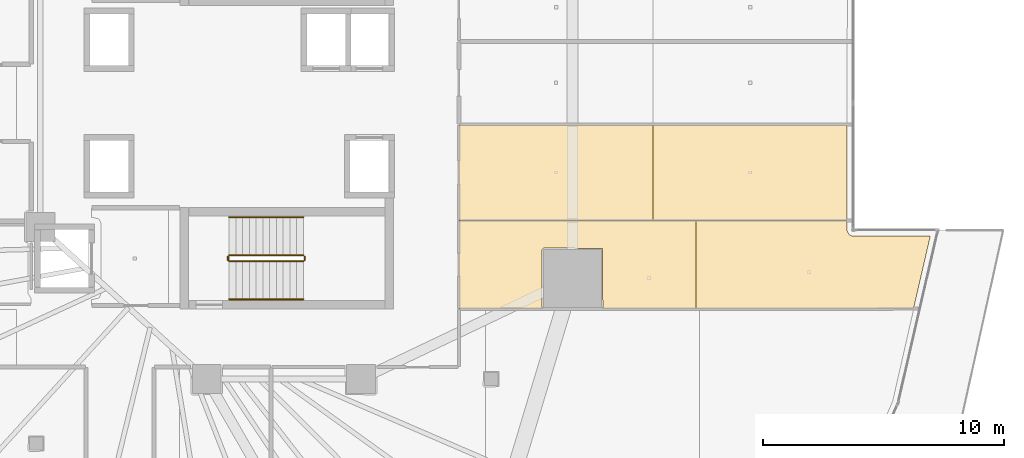
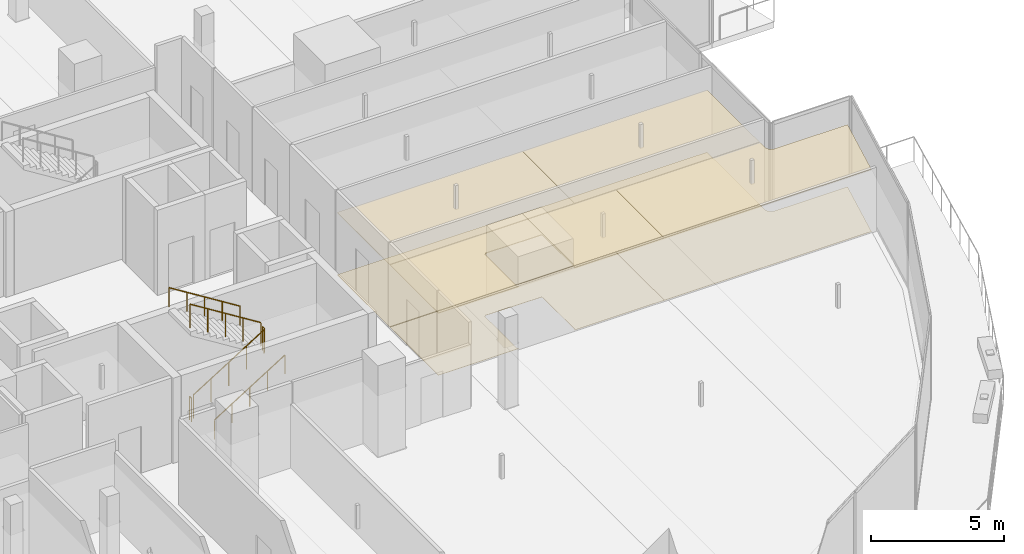
# One storey, part 39 of 44: 8 coverings, 6 railings.
"""IFC4 building model written with IfcOpenShell, lengths in metres."""

from ifc_helpers import new_model, si_unit, direction, frame, origin, origin_2d, place, context, subcontext, project, spatial, polyline, circle, outline, extrude, material, layer, layer_set, type_object, element, save


model = new_model("IFC4")

# Units and contexts
model_context = context("Model", 3, precision=1e-05, world=origin(), true_north=direction((0.0, 1.0)))
body_context = subcontext(model_context, "Body", "Model", "MODEL_VIEW")
ifc_project = project(units=[si_unit("LENGTHUNIT", "METRE"), si_unit("AREAUNIT", "SQUARE_METRE"), si_unit("VOLUMEUNIT", "CUBIC_METRE"), si_unit("PLANEANGLEUNIT", "RADIAN"), si_unit("MASSUNIT", "GRAM", prefix="KILO")], contexts=[model_context])

# Site, building, storey
site_placement = place(None, origin())
site = spatial("IfcSite", under=ifc_project, at=site_placement, CompositionType="ELEMENT")
building_placement = place(site_placement, origin())
building = spatial("IfcBuilding", under=site, at=building_placement, Name="Qorvath Tower", CompositionType="ELEMENT")
storey_placement = place(building_placement, frame((0.0, 0.0, 57.60009765625)))
storey = spatial("IfcBuildingStorey", under=building, at=storey_placement, Name="L12", CompositionType="ELEMENT", Elevation=57.60009765625)

# Coverings
ifc_material_1 = material(Name="Acoustic mineral fibre ceiling tile", Category="gypsum")
ifc_layer_1 = layer(ifc_material_1, 0.030029296875)
ifc_layer_set_1 = layer_set([ifc_layer_1], Name="COV-CEIL")
covering_type_1 = type_object("IfcCoveringType", Name="COV-CEIL", PredefinedType="CEILING", material=ifc_layer_set_1)
covering_1_placement = place(storey_placement, frame((0.0, 0.0, 2.849853515625)))
element("IfcCovering", 1, at=covering_1_placement, inside=storey, type_object=covering_type_1, Name="L12 Suspended Acoustic Ceiling 030", PredefinedType="CEILING", context=body_context, shape_type="SweptSolid", body=[
    extrude(outline(polyline([(-3.2998046875, -8.529052734375), (-3.2998046875, -4.88330078125), (-13.136962890625, -4.88330078125), (-13.136962890625, -8.537109375), (-9.6357421875, -8.5341796875), (-9.690185546875, -8.476318359375), (-9.690185546875, -6.076416015625), (-9.63037109375, -6.016357421875), (-7.18798828125, -6.033935546875), (-7.17041015625, -8.476318359375), (-7.22021484375, -8.5322265625), (-3.2998046875, -8.529052734375)])), origin(), (0.0, 0.0, 1.0), 0.030029296875),
])
covering_2_placement = place(storey_placement, frame((0.0, 0.0, 2.849853515625)))
element("IfcCovering", 2, at=covering_2_placement, inside=storey, type_object=covering_type_1, Name="L12 Suspended Acoustic Ceiling 031", PredefinedType="CEILING", context=body_context, shape_type="SweptSolid", body=[
    extrude(outline(polyline([(3.056396484375, -5.46630859375), (2.96923828125, -5.3193359375), (2.96435546875, -4.88330078125), (-3.2998046875, -4.88330078125), (-3.2998046875, -8.529052734375), (5.7216796875, -8.521728515625), (6.41259765625, -5.525390625), (3.19482421875, -5.524169921875), (3.056396484375, -5.46630859375)])), origin(), (0.0, 0.0, 1.0), 0.030029296875),
])
covering_3_placement = place(storey_placement, frame((0.0, 0.0, 2.849853515625)))
element("IfcCovering", 3, at=covering_3_placement, inside=storey, type_object=covering_type_1, Name="L12 Suspended Acoustic Ceiling 032", PredefinedType="CEILING", context=body_context, shape_type="SweptSolid", body=[
    extrude(outline(polyline([(-13.136962890625, -4.865234375), (-5.086181640625, -4.865234375), (-5.086181640625, -0.9052734375), (-13.136962890625, -0.9052734375), (-13.136962890625, -4.865234375)])), origin(), (0.0, 0.0, 1.0), 0.030029296875),
])
covering_4_placement = place(storey_placement, frame((0.0, 0.0, 2.849853515625)))
element("IfcCovering", 4, at=covering_4_placement, inside=storey, type_object=covering_type_1, Name="L12 Suspended Acoustic Ceiling 033", PredefinedType="CEILING", context=body_context, shape_type="SweptSolid", body=[
    extrude(outline(polyline([(-5.086181640625, -0.9052734375), (-5.086181640625, -4.865234375), (2.96435546875, -4.865234375), (2.96435546875, -0.9052734375), (-5.086181640625, -0.9052734375)])), origin(), (0.0, 0.0, 1.0), 0.030029296875),
])
ifc_material_2 = material(Name="Low-VOC modular carpet tile", Category="textile")
ifc_layer_2 = layer(ifc_material_2, 0.014892578125)
ifc_layer_set_2 = layer_set([ifc_layer_2], Name="COV-FLOOR-CPT")
covering_type_2 = type_object("IfcCoveringType", Name="COV-FLOOR-CPT", PredefinedType="FLOORING", material=ifc_layer_set_2)
covering_5_placement = place(storey_placement, origin())
element("IfcCovering", 5, at=covering_5_placement, inside=storey, type_object=covering_type_2, Name="L12 Floor Finish 030", PredefinedType="FLOORING", context=body_context, shape_type="SweptSolid", body=[
    extrude(outline(polyline([(-3.2998046875, -8.529052734375), (-3.2998046875, -4.88330078125), (-13.136962890625, -4.88330078125), (-13.136962890625, -8.537109375), (-9.6357421875, -8.5341796875), (-9.690185546875, -8.476318359375), (-9.690185546875, -6.076416015625), (-9.63037109375, -6.016357421875), (-7.18798828125, -6.033935546875), (-7.17041015625, -8.476318359375), (-7.22021484375, -8.5322265625), (-3.2998046875, -8.529052734375)])), origin(), (0.0, 0.0, 1.0), 0.014892578125),
])
covering_6_placement = place(storey_placement, origin())
element("IfcCovering", 6, at=covering_6_placement, inside=storey, type_object=covering_type_2, Name="L12 Floor Finish 031", PredefinedType="FLOORING", context=body_context, shape_type="SweptSolid", body=[
    extrude(outline(polyline([(3.056396484375, -5.46630859375), (2.96923828125, -5.3193359375), (2.96435546875, -4.88330078125), (-3.2998046875, -4.88330078125), (-3.2998046875, -8.529052734375), (5.7216796875, -8.521728515625), (6.41259765625, -5.525390625), (3.19482421875, -5.524169921875), (3.056396484375, -5.46630859375)])), origin(), (0.0, 0.0, 1.0), 0.014892578125),
])
covering_7_placement = place(storey_placement, origin())
element("IfcCovering", 7, at=covering_7_placement, inside=storey, type_object=covering_type_2, Name="L12 Floor Finish 032", PredefinedType="FLOORING", context=body_context, shape_type="SweptSolid", body=[
    extrude(outline(polyline([(-13.136962890625, -4.865234375), (-5.086181640625, -4.865234375), (-5.086181640625, -0.9052734375), (-13.136962890625, -0.9052734375), (-13.136962890625, -4.865234375)])), origin(), (0.0, 0.0, 1.0), 0.014892578125),
])
covering_8_placement = place(storey_placement, origin())
element("IfcCovering", 8, at=covering_8_placement, inside=storey, type_object=covering_type_2, Name="L12 Floor Finish 033", PredefinedType="FLOORING", context=body_context, shape_type="SweptSolid", body=[
    extrude(outline(polyline([(-5.086181640625, -0.9052734375), (-5.086181640625, -4.865234375), (2.96435546875, -4.865234375), (2.96435546875, -0.9052734375), (-5.086181640625, -0.9052734375)])), origin(), (0.0, 0.0, 1.0), 0.014892578125),
])

# Railings
ifc_material_3 = material(Name="Painted galvanised steel", Category="steel")
railing_type_1 = type_object("IfcRailingType", Name="RL-STR-GRD", PredefinedType="GUARDRAIL", material=ifc_material_3)
railing_1_placement = place(storey_placement, frame((-22.669921875, -6.570068359375, 0.1748046875)))
element("IfcRailing", 9, at=railing_1_placement, inside=storey, type_object=railing_type_1, Name="L12 TS2 stair guard 1", PredefinedType="GUARDRAIL", context=body_context, shape_type="SweptSolid", body=[
    extrude(circle(Radius=0.02392578125, at=origin_2d()), frame((0.0, 0.0, 1.076171875), z_axis=(0.847979421464, 0.0, 0.530029150871), x_axis=(0.0, 1.0, 0.0)), (0.0, 0.0, 1.0), 3.632080078125),
    extrude(circle(Radius=0.02099609375, at=origin_2d()), origin(), (0.0, 0.0, 1.0), 1.052001953125),
    extrude(circle(Radius=0.02099609375, at=origin_2d()), frame((0.77001953125, 0.0, 0.481201171875)), (0.0, 0.0, 1.0), 1.052001953125),
    extrude(circle(Radius=0.02099609375, at=origin_2d()), frame((1.5400390625, 0.0, 0.96240234375)), (0.0, 0.0, 1.0), 1.052001953125),
    extrude(circle(Radius=0.02099609375, at=origin_2d()), frame((2.309814453125, 0.0, 1.44384765625)), (0.0, 0.0, 1.0), 1.052001953125),
    extrude(circle(Radius=0.02099609375, at=origin_2d()), frame((3.079833984375, 0.0, 1.925048828125)), (0.0, 0.0, 1.0), 1.052001953125),
])
railing_2_placement = place(storey_placement, frame((-19.5400390625, -6.52001953125, 2.099853515625)))
element("IfcRailing", 10, at=railing_2_placement, inside=storey, type_object=railing_type_1, Name="L12 TS2 stair guard 2", PredefinedType="GUARDRAIL", context=body_context, shape_type="SweptSolid", body=[
    extrude(circle(Radius=0.02392578125, at=origin_2d()), frame((0.0, 0.0, 1.076171875), z_axis=(0.0, 1.0, 0.0), x_axis=(-1.0, 0.0, 0.0)), (0.0, 0.0, 1.0), 0.14990234375),
    extrude(circle(Radius=0.02099609375, at=origin_2d()), origin(), (0.0, 0.0, 1.0), 1.052001953125),
    extrude(circle(Radius=0.02099609375, at=origin_2d()), frame((0.0, 0.14990234375, 0.0)), (0.0, 0.0, 1.0), 1.052001953125),
])
railing_3_placement = place(storey_placement, frame((-19.590087890625, -6.320068359375, 2.27490234375)))
element("IfcRailing", 11, at=railing_3_placement, inside=storey, type_object=railing_type_1, Name="L12 TS2 stair guard 3", PredefinedType="GUARDRAIL", context=body_context, shape_type="SweptSolid", body=[
    extrude(circle(Radius=0.02392578125, at=origin_2d()), frame((0.0, 0.0, 1.076171875), z_axis=(-0.847979421464, 0.0, 0.530029150871), x_axis=(0.0, -1.0, 0.0)), (0.0, 0.0, 1.0), 3.632080078125),
    extrude(circle(Radius=0.02099609375, at=origin_2d()), origin(), (0.0, 0.0, 1.0), 1.052001953125),
    extrude(circle(Radius=0.02099609375, at=origin_2d()), frame((-0.77001953125, 0.0, 0.481201171875)), (0.0, 0.0, 1.0), 1.052001953125),
    extrude(circle(Radius=0.02099609375, at=origin_2d()), frame((-1.5400390625, 0.0, 0.96240234375)), (0.0, 0.0, 1.0), 1.052001953125),
    extrude(circle(Radius=0.02099609375, at=origin_2d()), frame((-2.309814453125, 0.0, 1.44384765625)), (0.0, 0.0, 1.0), 1.052001953125),
    extrude(circle(Radius=0.02099609375, at=origin_2d()), frame((-3.079833984375, 0.0, 1.925048828125)), (0.0, 0.0, 1.0), 1.052001953125),
])
railing_4_placement = place(storey_placement, frame((-22.719970703125, -6.52001953125, 0.0)))
element("IfcRailing", 12, at=railing_4_placement, inside=storey, type_object=railing_type_1, Name="L12 TS2 stair guard 4", PredefinedType="GUARDRAIL", context=body_context, shape_type="SweptSolid", body=[
    extrude(circle(Radius=0.02392578125, at=origin_2d()), frame((0.0, 0.0, 1.076171875), z_axis=(0.0, 1.0, 0.0), x_axis=(-1.0, 0.0, 0.0)), (0.0, 0.0, 1.0), 0.14990234375),
    extrude(circle(Radius=0.02099609375, at=origin_2d()), origin(), (0.0, 0.0, 1.0), 1.052001953125),
    extrude(circle(Radius=0.02099609375, at=origin_2d()), frame((0.0, 0.14990234375, 0.0)), (0.0, 0.0, 1.0), 1.052001953125),
])
ifc_material_4 = material(Name="Brushed stainless steel AISI 304", Category="steel")
railing_type_2 = type_object("IfcRailingType", Name="RL-STR-HND", PredefinedType="HANDRAIL", material=ifc_material_4)
railing_5_placement = place(storey_placement, frame((-22.669921875, -8.14990234375, 0.1748046875)))
element("IfcRailing", 13, at=railing_5_placement, inside=storey, type_object=railing_type_2, Name="L12 TS2 stair handrail 1", PredefinedType="HANDRAIL", context=body_context, shape_type="SweptSolid", body=[
    extrude(circle(Radius=0.02392578125, at=origin_2d()), frame((0.0, 0.0, 0.8759765625), z_axis=(0.847979421464, 0.0, 0.530029150871), x_axis=(0.0, 1.0, 0.0)), (0.0, 0.0, 1.0), 3.632080078125),
    extrude(circle(Radius=0.02099609375, at=origin_2d()), origin(), (0.0, 0.0, 1.0), 0.851806640625),
    extrude(circle(Radius=0.02099609375, at=origin_2d()), frame((0.77001953125, 0.0, 0.481201171875)), (0.0, 0.0, 1.0), 0.851806640625),
    extrude(circle(Radius=0.02099609375, at=origin_2d()), frame((1.5400390625, 0.0, 0.96240234375)), (0.0, 0.0, 1.0), 0.851806640625),
    extrude(circle(Radius=0.02099609375, at=origin_2d()), frame((2.309814453125, 0.0, 1.44384765625)), (0.0, 0.0, 1.0), 0.851806640625),
    extrude(circle(Radius=0.02099609375, at=origin_2d()), frame((3.079833984375, 0.0, 1.925048828125)), (0.0, 0.0, 1.0), 0.851806640625),
])
railing_6_placement = place(storey_placement, frame((-19.590087890625, -4.739990234375, 2.27490234375)))
element("IfcRailing", 14, at=railing_6_placement, inside=storey, type_object=railing_type_2, Name="L12 TS2 stair handrail 2", PredefinedType="HANDRAIL", context=body_context, shape_type="SweptSolid", body=[
    extrude(circle(Radius=0.02392578125, at=origin_2d()), frame((0.0, 0.0, 0.8759765625), z_axis=(-0.847979421464, 0.0, 0.530029150871), x_axis=(0.0, -1.0, 0.0)), (0.0, 0.0, 1.0), 3.632080078125),
    extrude(circle(Radius=0.02099609375, at=origin_2d()), origin(), (0.0, 0.0, 1.0), 0.851806640625),
    extrude(circle(Radius=0.02099609375, at=origin_2d()), frame((-0.77001953125, 0.0, 0.481201171875)), (0.0, 0.0, 1.0), 0.851806640625),
    extrude(circle(Radius=0.02099609375, at=origin_2d()), frame((-1.5400390625, 0.0, 0.96240234375)), (0.0, 0.0, 1.0), 0.851806640625),
    extrude(circle(Radius=0.02099609375, at=origin_2d()), frame((-2.309814453125, 0.0, 1.44384765625)), (0.0, 0.0, 1.0), 0.851806640625),
    extrude(circle(Radius=0.02099609375, at=origin_2d()), frame((-3.079833984375, 0.0, 1.925048828125)), (0.0, 0.0, 1.0), 0.851806640625),
])

save(model, "model.ifc")
